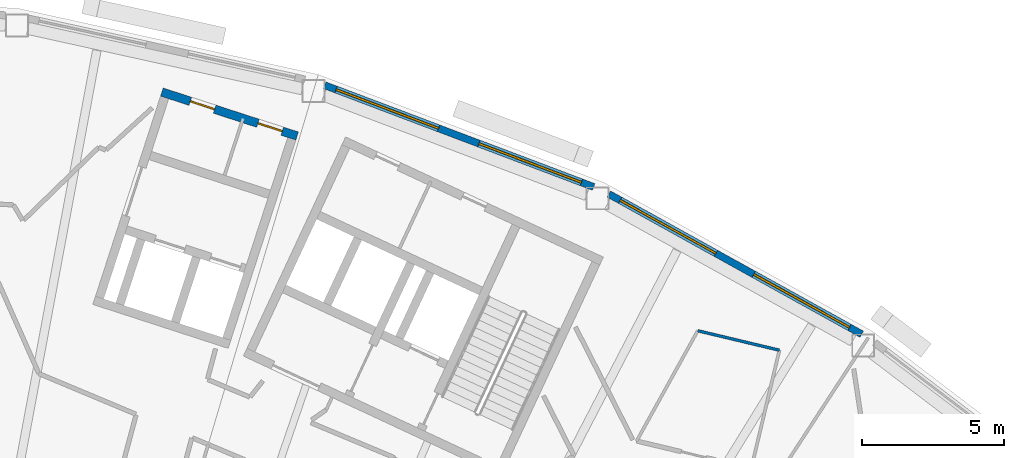
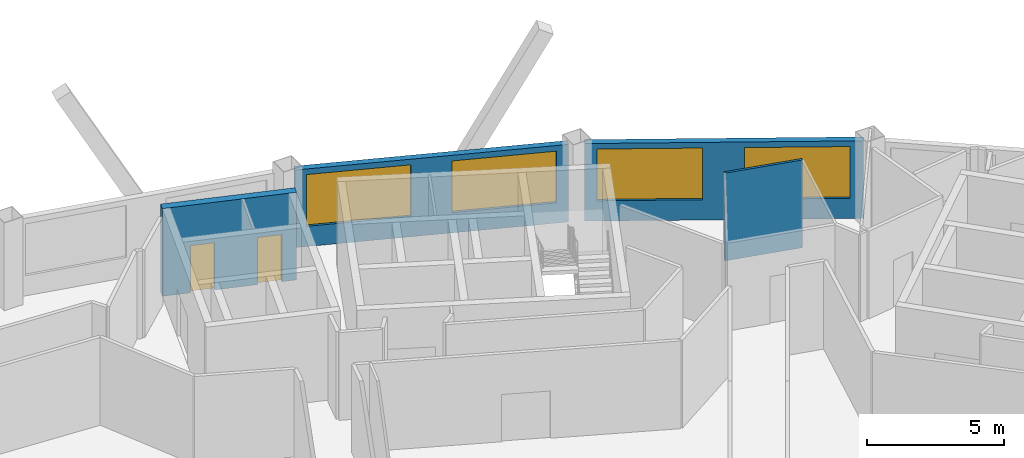
# One storey, part 10 of 13: 4 walls, 4 windows, 2 doors, 6 openings.
"""IFC4 building model written with IfcOpenShell, lengths in metres."""

from ifc_helpers import new_model, si_unit, direction, frame, frame_2d, origin, place, context, subcontext, project, spatial, rectangle, extrude, material, layer, layer_set, type_object, element, fill, save


model = new_model("IFC4")

# Units and contexts
model_context = context("Model", 3, precision=1e-05, world=origin(), true_north=direction((0.0, 1.0)))
body_context = subcontext(model_context, "Body", "Model", "MODEL_VIEW")
ifc_project = project(units=[si_unit("LENGTHUNIT", "METRE"), si_unit("AREAUNIT", "SQUARE_METRE"), si_unit("VOLUMEUNIT", "CUBIC_METRE"), si_unit("PLANEANGLEUNIT", "RADIAN"), si_unit("MASSUNIT", "GRAM", prefix="KILO")], contexts=[model_context])

# Site, building, storey
site_placement = place(None, origin())
site = spatial("IfcSite", under=ifc_project, at=site_placement, CompositionType="ELEMENT")
building_placement = place(site_placement, origin())
building = spatial("IfcBuilding", under=site, at=building_placement, Name="Tuul Gate Civic Tower", CompositionType="ELEMENT")
storey_placement = place(building_placement, frame((0.0, 0.0, 294.199951171875)))
storey = spatial("IfcBuildingStorey", under=building, at=storey_placement, Name="Level 66", CompositionType="ELEMENT", Elevation=294.199951171875)

# Wall, openings, windows
ifc_material_1 = material(Name="Precast concrete C40/50", Category="concrete")
ifc_layer_1 = layer(ifc_material_1, 0.25)
ifc_layer_set_1 = layer_set([ifc_layer_1], Name="Precast concrete C40/50")
wall_type_1 = type_object("IfcWallType", Name="External wall", PredefinedType="STANDARD", material=ifc_layer_set_1)
wall_1_placement = place(storey_placement, frame((47.139404296875, -2.39111328125, 0.0), z_axis=(0.0, 0.0, 1.0), x_axis=(-0.874604551877, 0.484836960055, 0.0)))
wall_1 = element("IfcWall", 1, at=wall_1_placement, inside=storey, type_object=wall_type_1, Name="External wall", PredefinedType="STANDARD", context=body_context, shape_type="SweptSolid", body=[
    extrude(rectangle(XDim=10.16162109375, YDim=0.25, at=frame_2d((5.080810546875, 0.0))), origin(), (0.0, 0.0, 1.0), 3.449951171875),
])
opening_1_placement = place(wall_1_placement, frame((0.489501953125, 0.0, 0.89990234375)))
opening_1 = element("IfcOpeningElement", 2, at=opening_1_placement, cuts=wall_1, Name="Opening W22", PredefinedType="OPENING", context=body_context, shape_type="SweptSolid", body=[
    extrude(rectangle(XDim=3.85009765625, YDim=2.300048828125, at=frame_2d((1.925048828125, 1.14990234375))), frame((0.0, 0.135009765625, 0.0), z_axis=(0.0, -1.0, 0.0), x_axis=(1.0, 0.0, 0.0)), (0.0, 0.0, 1.0), 0.27001953125),
])
opening_2_placement = place(wall_1_placement, frame((5.860595703125, 0.0, 0.89990234375)))
opening_2 = element("IfcOpeningElement", 3, at=opening_2_placement, cuts=wall_1, Name="Opening W22", PredefinedType="OPENING", context=body_context, shape_type="SweptSolid", body=[
    extrude(rectangle(XDim=3.85009765625, YDim=2.300048828125, at=frame_2d((1.925048828125, 1.14990234375))), frame((0.0, 0.135009765625, 0.0), z_axis=(0.0, -1.0, 0.0), x_axis=(1.0, 0.0, 0.0)), (0.0, 0.0, 1.0), 0.27001953125),
])
ifc_material_2 = material(Name="Glass", Category="glass")
window_type = type_object("IfcWindowType", Name="Window W22 3850 x 2300", PartitioningType="SINGLE_PANEL", PredefinedType="WINDOW", material=ifc_material_2)
window_1_placement = place(opening_1_placement, origin())
window_1 = element("IfcWindow", 4, at=window_1_placement, inside=storey, type_object=window_type, Name="Window", OverallHeight=2.300048828125, OverallWidth=3.85009765625, PartitioningType="SINGLE_PANEL", PredefinedType="WINDOW", context=body_context, shape_type="SweptSolid", body=[
    extrude(rectangle(XDim=3.85009765625, YDim=2.300048828125, at=frame_2d((1.925048828125, 1.14990234375))), frame((0.0, 0.030029296875, 0.0), z_axis=(0.0, -1.0, 0.0), x_axis=(1.0, 0.0, 0.0)), (0.0, 0.0, 1.0), 0.06005859375),
])
fill(opening_1, window_1)
window_2_placement = place(opening_2_placement, origin())
window_2 = element("IfcWindow", 5, at=window_2_placement, inside=storey, type_object=window_type, Name="Window", OverallHeight=2.300048828125, OverallWidth=3.85009765625, PartitioningType="SINGLE_PANEL", PredefinedType="WINDOW", context=body_context, shape_type="SweptSolid", body=[
    extrude(rectangle(XDim=3.85009765625, YDim=2.300048828125, at=frame_2d((1.925048828125, 1.14990234375))), frame((0.0, 0.030029296875, 0.0), z_axis=(0.0, -1.0, 0.0), x_axis=(1.0, 0.0, 0.0)), (0.0, 0.0, 1.0), 0.06005859375),
])
fill(opening_2, window_2)

wall_2_placement = place(storey_placement, frame((37.715087890625, 2.784912109375, 0.0), z_axis=(0.0, 0.0, 1.0), x_axis=(-0.935360382643, 0.353696133118, 0.0)))
wall_2 = element("IfcWall", 6, at=wall_2_placement, inside=storey, type_object=wall_type_1, Name="External wall", PredefinedType="STANDARD", context=body_context, shape_type="SweptSolid", body=[
    extrude(rectangle(XDim=10.103271484375, YDim=0.25, at=frame_2d((5.0517578125, 0.0))), origin(), (0.0, 0.0, 1.0), 3.449951171875),
])
opening_3_placement = place(wall_2_placement, frame((0.45849609375, 0.0, 0.89990234375)))
opening_3 = element("IfcOpeningElement", 7, at=opening_3_placement, cuts=wall_2, Name="Opening W22", PredefinedType="OPENING", context=body_context, shape_type="SweptSolid", body=[
    extrude(rectangle(XDim=3.85009765625, YDim=2.300048828125, at=frame_2d((1.925048828125, 1.14990234375))), frame((0.0, 0.135009765625, 0.0), z_axis=(0.0, -1.0, 0.0), x_axis=(1.0, 0.0, 0.0)), (0.0, 0.0, 1.0), 0.27001953125),
])
opening_4_placement = place(wall_2_placement, frame((5.830322265625, 0.0, 0.89990234375)))
opening_4 = element("IfcOpeningElement", 8, at=opening_4_placement, cuts=wall_2, Name="Opening W22", PredefinedType="OPENING", context=body_context, shape_type="SweptSolid", body=[
    extrude(rectangle(XDim=3.85009765625, YDim=2.300048828125, at=frame_2d((1.925048828125, 1.14990234375))), frame((0.0, 0.135009765625, 0.0), z_axis=(0.0, -1.0, 0.0), x_axis=(1.0, 0.0, 0.0)), (0.0, 0.0, 1.0), 0.27001953125),
])
window_3_placement = place(opening_3_placement, origin())
window_3 = element("IfcWindow", 9, at=window_3_placement, inside=storey, type_object=window_type, Name="Window", OverallHeight=2.300048828125, OverallWidth=3.85009765625, PartitioningType="SINGLE_PANEL", PredefinedType="WINDOW", context=body_context, shape_type="SweptSolid", body=[
    extrude(rectangle(XDim=3.85009765625, YDim=2.300048828125, at=frame_2d((1.925048828125, 1.14990234375))), frame((0.0, 0.030029296875, 0.0), z_axis=(0.0, -1.0, 0.0), x_axis=(1.0, 0.0, 0.0)), (0.0, 0.0, 1.0), 0.06005859375),
])
fill(opening_3, window_3)
window_4_placement = place(opening_4_placement, origin())
window_4 = element("IfcWindow", 10, at=window_4_placement, inside=storey, type_object=window_type, Name="Window", OverallHeight=2.300048828125, OverallWidth=3.85009765625, PartitioningType="SINGLE_PANEL", PredefinedType="WINDOW", context=body_context, shape_type="SweptSolid", body=[
    extrude(rectangle(XDim=3.85009765625, YDim=2.300048828125, at=frame_2d((1.925048828125, 1.14990234375))), frame((0.0, 0.030029296875, 0.0), z_axis=(0.0, -1.0, 0.0), x_axis=(1.0, 0.0, 0.0)), (0.0, 0.0, 1.0), 0.06005859375),
])
fill(opening_4, window_4)

# Wall, openings, doors
ifc_material_3 = material(Name="Concrete C40/50", Category="concrete")
ifc_layer_2 = layer(ifc_material_3, 0.300048828125)
ifc_layer_set_2 = layer_set([ifc_layer_2], Name="Concrete C40/50")
wall_type_2 = type_object("IfcWallType", Name="Lift shaft wall C40/50", PredefinedType="STANDARD", material=ifc_layer_set_2)
wall_3_placement = place(storey_placement, frame((27.29150390625, 4.57666015625, 0.0), z_axis=(0.0, 0.0, 1.0), x_axis=(-0.951067792613, 0.308982287281, 0.0)))
wall_3 = element("IfcWall", 11, at=wall_3_placement, inside=storey, type_object=wall_type_2, Name="Shaft wall", PredefinedType="STANDARD", context=body_context, shape_type="SweptSolid", body=[
    extrude(rectangle(XDim=5.0, YDim=0.300048828125, at=frame_2d((2.5, 0.0))), origin(), (0.0, 0.0, 1.0), 3.900146484375),
])
opening_5_placement = place(wall_3_placement, frame((0.550048828125, 0.0, 0.0)))
opening_5 = element("IfcOpeningElement", 12, at=opening_5_placement, cuts=wall_3, Name="Opening Y-D21", PredefinedType="OPENING", context=body_context, shape_type="SweptSolid", body=[
    extrude(rectangle(XDim=0.89990234375, YDim=2.10009765625, at=frame_2d((0.449951171875, 1.050048828125))), frame((0.0, 0.16015625, 0.0), z_axis=(0.0, -1.0, 0.0), x_axis=(1.0, 0.0, 0.0)), (0.0, 0.0, 1.0), 0.320068359375),
])
opening_6_placement = place(wall_3_placement, frame((3.050048828125, 0.0, 0.0)))
opening_6 = element("IfcOpeningElement", 13, at=opening_6_placement, cuts=wall_3, Name="Opening Y-D22", PredefinedType="OPENING", context=body_context, shape_type="SweptSolid", body=[
    extrude(rectangle(XDim=0.89990234375, YDim=2.10009765625, at=frame_2d((0.449951171875, 1.050048828125))), frame((0.0, 0.16015625, 0.0), z_axis=(0.0, -1.0, 0.0), x_axis=(1.0, 0.0, 0.0)), (0.0, 0.0, 1.0), 0.320068359375),
])
ifc_material_4 = material(Name="Timber door leaf", Category="wood")
door_type = type_object("IfcDoorType", Name="Door D09", OperationType="NOTDEFINED", PredefinedType="DOOR", material=ifc_material_4)
door_1_placement = place(opening_5_placement, origin())
door_1 = element("IfcDoor", 14, at=door_1_placement, inside=storey, type_object=door_type, Name="Door Y-D21", OperationType="SINGLE_SWING_LEFT", OverallHeight=2.10009765625, OverallWidth=0.89990234375, PredefinedType="DOOR", context=body_context, shape_type="SweptSolid", body=[
    extrude(rectangle(XDim=0.89990234375, YDim=2.10009765625, at=frame_2d((0.449951171875, 1.050048828125))), frame((0.0, 0.02490234375, 0.0), z_axis=(0.0, -1.0, 0.0), x_axis=(1.0, 0.0, 0.0)), (0.0, 0.0, 1.0), 0.050048828125),
])
fill(opening_5, door_1)
door_2_placement = place(opening_6_placement, origin())
door_2 = element("IfcDoor", 15, at=door_2_placement, inside=storey, type_object=door_type, Name="Door Y-D22", OperationType="SINGLE_SWING_RIGHT", OverallHeight=2.10009765625, OverallWidth=0.89990234375, PredefinedType="DOOR", context=body_context, shape_type="SweptSolid", body=[
    extrude(rectangle(XDim=0.89990234375, YDim=2.10009765625, at=frame_2d((0.449951171875, 1.050048828125))), frame((0.0, 0.02490234375, 0.0), z_axis=(0.0, -1.0, 0.0), x_axis=(1.0, 0.0, 0.0)), (0.0, 0.0, 1.0), 0.050048828125),
])
fill(opening_6, door_2)

# Wall
ifc_material_5 = material(Name="Gypsum board partition")
ifc_layer_3 = layer(ifc_material_5, 0.10009765625)
ifc_layer_set_3 = layer_set([ifc_layer_3], Name="Gypsum board partition")
wall_type_3 = type_object("IfcWallType", Name="Partition P100", PredefinedType="PARTITIONING", material=ifc_layer_set_3)
wall_4_placement = place(storey_placement, frame((41.37548828125, -2.27001953125, 0.0), z_axis=(0.0, 0.0, 1.0), x_axis=(0.972745825444, -0.231874015539, 0.0)))
element("IfcWall", 16, at=wall_4_placement, inside=storey, type_object=wall_type_3, Name="p015", PredefinedType="PARTITIONING", context=body_context, shape_type="SweptSolid", body=[
    extrude(rectangle(XDim=2.951171875, YDim=0.10009765625, at=frame_2d((1.4755859375, 0.0))), origin(), (0.0, 0.0, 1.0), 3.900146484375),
])

save(model, "model.ifc")
